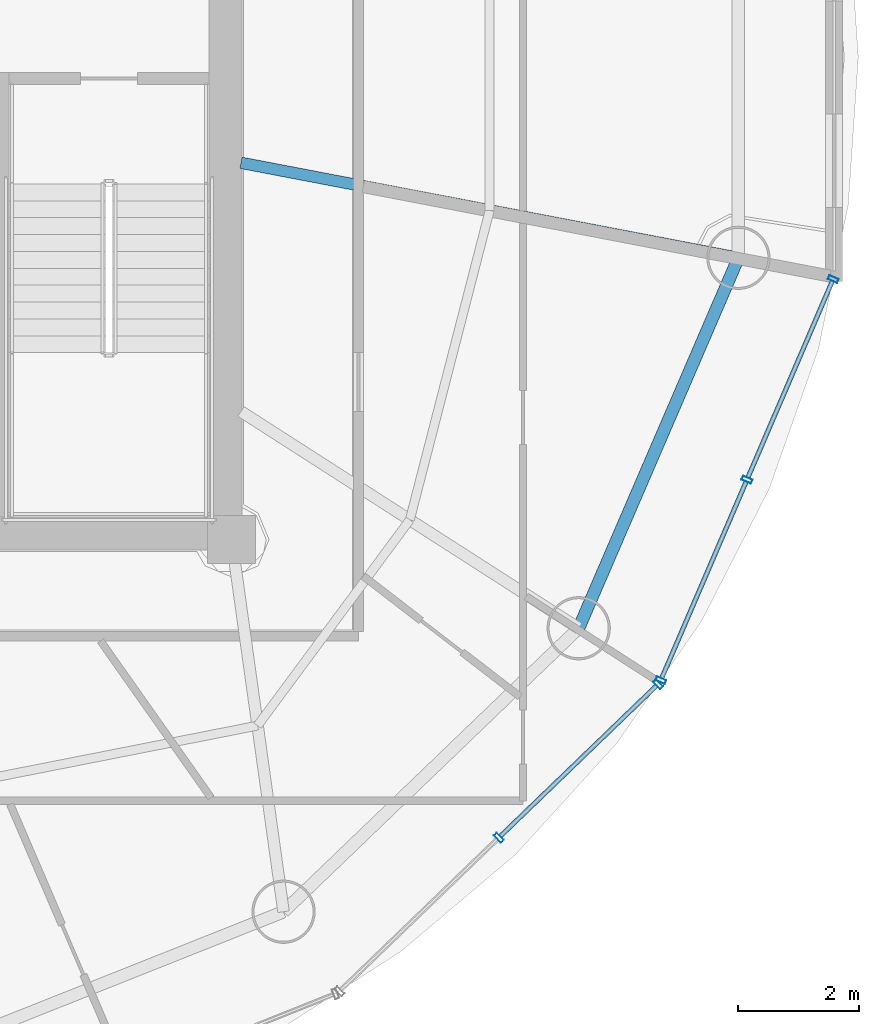
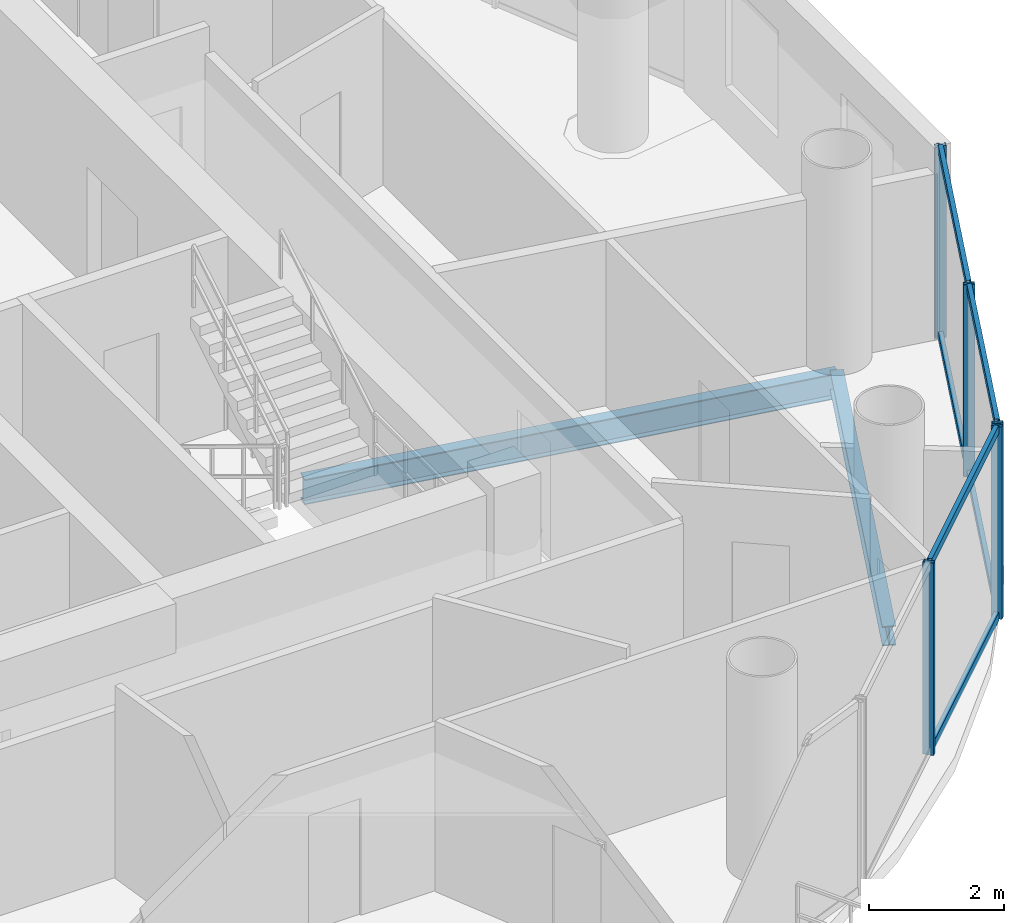
# One storey, part 10 of 23: 11 members, 2 beams, 2 elements without a shape of their own.
"""IFC4 building model written with IfcOpenShell, lengths in metres."""

import ifcopenshell
import ifcopenshell.guid

model = None  # the IFC model being written
_history = None  # IfcOwnerHistory: only IFC2X3 demands one
_inside = {}  # id of a spatial element -> (the spatial element, [elements in it])
_under = {}  # id of a project, library or spatial element -> (it, [spatial elements below it])
_declared = {}  # id of a project -> (the project, [libraries it declares])
_typed = {}  # id of a type object -> (the type object, [elements of that type])
_made_of = {}  # id of a material, layer set ... -> (it, [elements and type objects made of it])


def new_model(schema):
    """Start an empty IFC model of exactly this schema.

    Asked for "IFC4X3", IfcOpenShell would pick the latest addendum, in which some entities
    have other attributes; the version numbers below select the first issue.
    IFC2X3 requires an IfcOwnerHistory on every rooted entity: one is made here for all.
    """
    global model, _history
    if schema == "IFC4X3":
        model = ifcopenshell.file(schema_version=(4, 3, 0, 0))
    else:
        model = ifcopenshell.file(schema=schema)
    _inside.clear()
    _under.clear()
    _declared.clear()
    _typed.clear()
    _made_of.clear()
    _history = None
    if model.schema == "IFC2X3":
        org = make("IfcOrganization", Name="unknown")
        user = make(
            "IfcPersonAndOrganization",
            ThePerson=make("IfcPerson", FamilyName="unknown"),
            TheOrganization=org,
        )
        app = make(
            "IfcApplication",
            ApplicationDeveloper=org,
            Version="unknown",
            ApplicationFullName="unknown",
            ApplicationIdentifier="unknown",
        )
        _history = make(
            "IfcOwnerHistory",
            OwningUser=user,
            OwningApplication=app,
            ChangeAction="ADDED",
            CreationDate=0,
        )
    return model


def make(cls, **values):
    """One entity of the class cls with the attributes given. An attribute that is None is left unset."""
    return model.create_entity(
        cls, **{name: value for name, value in values.items() if value is not None}
    )


def rooted(cls, **values):
    """An entity with a GlobalId (a new one), such as an element, a storey or a relation."""
    return make(cls, GlobalId=ifcopenshell.guid.new(), OwnerHistory=_history, **values)


def si_unit(unit_type, name, prefix=None):
    """IfcSIUnit, for example si_unit("LENGTHUNIT", "METRE", prefix="MILLI")."""
    return make("IfcSIUnit", UnitType=unit_type, Prefix=prefix, Name=name)


def assignment(units):
    """IfcUnitAssignment: the units of a project."""
    return None if units is None else make("IfcUnitAssignment", Units=units)


def point(xyz):
    """IfcCartesianPoint."""
    return None if xyz is None else make("IfcCartesianPoint", Coordinates=xyz)


def direction(xyz):
    """IfcDirection."""
    return None if xyz is None else make("IfcDirection", DirectionRatios=xyz)


def frame(location, z_axis=None, x_axis=None):
    """IfcAxis2Placement3D, a coordinate frame: its origin and axes. An axis left out is left unset."""
    return make(
        "IfcAxis2Placement3D",
        Location=point(location),
        Axis=direction(z_axis),
        RefDirection=direction(x_axis),
    )


def frame_2d(location, x_axis=None):
    """IfcAxis2Placement2D, a coordinate frame in the plane: its origin and x axis."""
    return make(
        "IfcAxis2Placement2D", Location=point(location), RefDirection=direction(x_axis)
    )


def origin():
    """The frame at (0, 0, 0) with its axes left unset."""
    return frame((0.0, 0.0, 0.0))


def origin_2d():
    """The frame at (0, 0) in the plane with its x axis left unset."""
    return frame_2d((0.0, 0.0))


def place(relative_to, where):
    """IfcLocalPlacement: puts the frame where relative to a parent placement (None: the world)."""
    return make(
        "IfcLocalPlacement", PlacementRelTo=relative_to, RelativePlacement=where
    )


def context(
    kind, dimensions, precision=None, world=None, true_north=None, identifier=None
):
    """IfcGeometricRepresentationContext, for example the 3D "Model" context."""
    return make(
        "IfcGeometricRepresentationContext",
        ContextIdentifier=identifier,
        ContextType=kind,
        CoordinateSpaceDimension=dimensions,
        Precision=precision,
        WorldCoordinateSystem=world,
        TrueNorth=true_north,
    )


def subcontext(parent, identifier, kind, view, scale=None):
    """IfcGeometricRepresentationSubContext, for example "Body" below "Model"."""
    return make(
        "IfcGeometricRepresentationSubContext",
        ContextIdentifier=identifier,
        ContextType=kind,
        ParentContext=parent,
        TargetScale=scale,
        TargetView=view,
    )


def project(units=None, contexts=None):
    """IfcProject with its units and contexts."""
    return rooted(
        "IfcProject",
        Name="project",
        RepresentationContexts=contexts,
        UnitsInContext=assignment(units),
    )


def spatial(cls, under=None, at=None, **own):
    """A site, building, storey or space (cls), placed at a placement, below another one or the project."""
    s = rooted(cls, ObjectPlacement=at, **own)
    if under is not None:
        _under.setdefault(under.id(), (under, []))[1].append(s)
    return s


def profile(cls, at=None, kind="AREA", **sizes):
    """A parametric profile (cls). Its sizes go by their IFC names, for example OverallWidth=200.0."""
    return make(cls, ProfileType=kind, Position=at, **sizes)


def hollow_rectangle(**sizes):
    """IfcRectangleHollowProfileDef."""
    return profile("IfcRectangleHollowProfileDef", **sizes)


def i_section(**sizes):
    """IfcIShapeProfileDef."""
    return profile("IfcIShapeProfileDef", **sizes)


def extrude(swept, where, along, depth):
    """IfcExtrudedAreaSolid: the profile swept, set in the frame where, extruded along a direction by depth."""
    return make(
        "IfcExtrudedAreaSolid",
        SweptArea=swept,
        Position=where,
        ExtrudedDirection=direction(along),
        Depth=depth,
    )


def shape(context_of_items, identifier, shape_type, items):
    """IfcShapeRepresentation: the items that make up one representation, for example the "Body"."""
    return make(
        "IfcShapeRepresentation",
        ContextOfItems=context_of_items,
        RepresentationIdentifier=identifier,
        RepresentationType=shape_type,
        Items=items,
    )


def source(mapping_origin, context_of_items, identifier, shape_type, items):
    """IfcRepresentationMap: a shape defined once, which mapped items show again and again."""
    return make(
        "IfcRepresentationMap",
        MappingOrigin=mapping_origin,
        MappedRepresentation=shape(context_of_items, identifier, shape_type, items),
    )


def transform(
    local_origin,
    x_axis=None,
    y_axis=None,
    z_axis=None,
    scale=None,
    scale2=None,
    scale3=None,
    uniform=True,
):
    """IfcCartesianTransformationOperator3D, or its non-uniform kind. x_axis, y_axis, z_axis: its Axis1, 2, 3."""
    if uniform:
        return make(
            "IfcCartesianTransformationOperator3D",
            Axis1=direction(x_axis),
            Axis2=direction(y_axis),
            LocalOrigin=point(local_origin),
            Scale=scale,
            Axis3=direction(z_axis),
        )
    return make(
        "IfcCartesianTransformationOperator3DnonUniform",
        Axis1=direction(x_axis),
        Axis2=direction(y_axis),
        LocalOrigin=point(local_origin),
        Scale=scale,
        Axis3=direction(z_axis),
        Scale2=scale2,
        Scale3=scale3,
    )


def mapped(mapping_source, mapping_target):
    """IfcMappedItem: shows the shape of a source again, moved by a transform."""
    return make(
        "IfcMappedItem", MappingSource=mapping_source, MappingTarget=mapping_target
    )


def material(Name=None, Category=None):
    """IfcMaterial."""
    return make("IfcMaterial", Name=Name, Category=Category)


def material_profile(
    of_material, cross_section, Name=None, Category=None, Priority=None
):
    """IfcMaterialProfile: a cross section and its material."""
    return make(
        "IfcMaterialProfile",
        Name=Name,
        Material=of_material,
        Profile=cross_section,
        Priority=Priority,
        Category=Category,
    )


def profile_set(profiles, Name=None, composite=None):
    """IfcMaterialProfileSet."""
    return make(
        "IfcMaterialProfileSet",
        Name=Name,
        MaterialProfiles=profiles,
        CompositeProfile=composite,
    )


def made_of(thing, what):
    """Note that an element or type object is made of a material, layer set ...; save() writes the relation."""
    if what is not None:
        _made_of.setdefault(what.id(), (what, []))[1].append(thing)
    return thing


def type_object(cls, material=None, **own):
    """A type object (cls), such as IfcWallType, which elements share."""
    return made_of(rooted(cls, **own), material)


def element(
    cls,
    number,
    at=None,
    inside=None,
    cuts=None,
    type_object=None,
    material=None,
    context=None,
    identifier="Body",
    shape_type=None,
    held_by="IfcProductDefinitionShape",
    body=None,
    shapes=None,
    **own,
):
    """One element of the class cls, such as IfcWall. Its Tag is "e" and its number.

    at: its placement. inside: the storey or other place that contains it. cuts: it is an
    opening in that element (IfcRelVoidsElement). A single representation is given by context,
    identifier, shape_type and body (its items); several are given by shapes. held_by: the class
    of the entity that holds the representations. save() writes the other relations.
    """
    e = rooted(cls, Tag="e%d" % number, ObjectPlacement=at, **own)
    if body is not None:
        shapes = [shape(context, identifier, shape_type, body)]
    if shapes is not None:
        e.Representation = make(held_by, Representations=shapes)
    if inside is not None:
        _inside.setdefault(inside.id(), (inside, []))[1].append(e)
    if cuts is not None:
        rooted(
            "IfcRelVoidsElement", RelatingBuildingElement=cuts, RelatedOpeningElement=e
        )
    if type_object is not None:
        _typed.setdefault(type_object.id(), (type_object, []))[1].append(e)
    return made_of(e, material)


def aggregate(whole, parts):
    """IfcRelAggregates: a whole, such as a stair, and the parts it consists of."""
    return rooted("IfcRelAggregates", RelatingObject=whole, RelatedObjects=parts)


def save(model, path):
    """Write the relations noted so far, then the file.

    IfcRelAggregates (storeys below a building ...), IfcRelContainedInSpatialStructure (elements
    in a storey), IfcRelDefinesByType, IfcRelAssociatesMaterial and IfcRelDeclares: one each for
    every whole, place, type object, material and project.
    """
    for whole, parts in _under.values():
        aggregate(whole, parts)
    for where, things in _inside.values():
        rooted(
            "IfcRelContainedInSpatialStructure",
            RelatedElements=things,
            RelatingStructure=where,
        )
    for kind, things in _typed.values():
        rooted("IfcRelDefinesByType", RelatedObjects=things, RelatingType=kind)
    for what, things in _made_of.values():
        rooted("IfcRelAssociatesMaterial", RelatedObjects=things, RelatingMaterial=what)
    for by, libraries in _declared.values():
        rooted("IfcRelDeclares", RelatingContext=by, RelatedDefinitions=libraries)
    model.write(path)


model = new_model("IFC4")

# Units and contexts
model_context = context("Model", 3, precision=1e-05, world=origin(), true_north=direction((-0.2419218956, 0.970295726276)))
body_context = subcontext(model_context, "Body", "Model", "MODEL_VIEW")
ifc_project = project(units=[si_unit("LENGTHUNIT", "METRE"), si_unit("AREAUNIT", "SQUARE_METRE"), si_unit("VOLUMEUNIT", "CUBIC_METRE"), si_unit("PLANEANGLEUNIT", "RADIAN"), si_unit("MASSUNIT", "GRAM", prefix="KILO")], contexts=[model_context])

# Site, building, storey
site_placement = place(None, origin())
site = spatial("IfcSite", under=ifc_project, at=site_placement, CompositionType="ELEMENT")
building_placement = place(site_placement, origin())
building = spatial("IfcBuilding", under=site, at=building_placement, Name="Cobrevalo Terracotta Tower", CompositionType="ELEMENT")
storey_placement = place(building_placement, frame((0.0, 0.0, 259.449951171875)))
storey = spatial("IfcBuildingStorey", under=building, at=storey_placement, Name="L68", CompositionType="ELEMENT", Elevation=259.449951171875)

# Beams
ifc_material_1 = material(Name="Steel S355", Category="steel")
ifc_material_profile_1 = material_profile(ifc_material_1, i_section(OverallWidth=0.19091796875, OverallDepth=0.4599609375, WebThickness=0.010009765625, FlangeThickness=0.01611328125, at=origin_2d()), Name="W 460x82")
ifc_profile_set_1 = profile_set([ifc_material_profile_1], Name="Steel S355")
beam_type_1 = type_object("IfcBeamType", Name="Structural Beam W 460x82 (Steel S355)", PredefinedType="BEAM", material=ifc_profile_set_1)
beam_1_placement = place(storey_placement, frame((55.408935546875, 23.4736328125, -0.489990234375), z_axis=(-0.982229562106, 0.187683476432, 0.0), x_axis=(-0.187683476432, -0.982229562106, 0.0)))
element("IfcBeam", 1, at=beam_1_placement, inside=storey, type_object=beam_type_1, Name="L68 radial floor girder 16", PredefinedType="BEAM", context=body_context, shape_type="SweptSolid", body=[
    extrude(i_section(OverallWidth=0.19091796875, OverallDepth=0.4599609375, WebThickness=0.010009765625, FlangeThickness=0.01611328125, at=origin_2d()), origin(), (0.0, 0.0, 1.0), 8.4033203125),
])
ifc_material_profile_2 = material_profile(ifc_material_1, i_section(OverallWidth=0.205078125, OverallDepth=0.35400390625, WebThickness=0.009521484375, FlangeThickness=0.016845703125, at=origin_2d()), Name="W 360x79")
ifc_profile_set_2 = profile_set([ifc_material_profile_2], Name="Steel S355")
beam_type_2 = type_object("IfcBeamType", Name="Structural Spandrel W 360x79 (Steel S355)", PredefinedType="SPANDREL", material=ifc_profile_set_2)
beam_2_placement = place(storey_placement, frame((52.758544921875, 17.32763671875, -0.43701171875), z_axis=(0.395987390706, 0.918255948198, 0.0), x_axis=(-0.918255948198, 0.395987390706, 0.0)))
element("IfcBeam", 2, at=beam_2_placement, inside=storey, type_object=beam_type_2, Name="L68 perimeter ring spandrel 15", PredefinedType="SPANDREL", context=body_context, shape_type="SweptSolid", body=[
    extrude(i_section(OverallWidth=0.205078125, OverallDepth=0.35400390625, WebThickness=0.009521484375, FlangeThickness=0.016845703125, at=origin_2d()), origin(), (0.0, 0.0, 1.0), 6.693115234375),
])

# Curtain wall, members
ifc_material_2 = material(Name="Anodized aluminium", Category="aluminium")
curtain_wall_type = type_object("IfcCurtainWallType", Name="Upper-tower triple-glazed penthouse curtain wall CW-U3", PredefinedType="NOTDEFINED", material=ifc_material_2)
curtain_wall_1_placement = place(storey_placement, origin())
curtain_wall_1 = element("IfcCurtainWall", 3, at=curtain_wall_1_placement, inside=storey, type_object=curtain_wall_type, Name="L68 curtain wall CW-L68-S14", PredefinedType="NOTDEFINED")
ifc_material_profile_3 = material_profile(ifc_material_2, hollow_rectangle(XDim=0.070068359375, YDim=0.169921875, WallThickness=0.00439453125, at=origin_2d()), Name="CWM 70x170")
ifc_profile_set_3 = profile_set([ifc_material_profile_3], Name="Anodized aluminium")
member_type_1 = type_object("IfcMemberType", Name="Upper tower unitised mullion 70x170", PredefinedType="MULLION", material=ifc_profile_set_3)
shared_shape_1 = source(origin(), body_context, "Body", "SweptSolid", [
    extrude(hollow_rectangle(XDim=0.070068359375, YDim=0.169921875, WallThickness=0.00439453125, at=origin_2d()), origin(), (0.0, 0.0, 1.0), 3.489990234375),
])
member_1_placement = place(storey_placement, frame((51.43359375, 13.85205078125, 0.0), z_axis=(0.0, 0.0, 1.0), x_axis=(0.71999418085, 0.69398010025, 0.0)))
member_1 = element("IfcMember", 4, at=member_1_placement, type_object=member_type_1, Name="CW-L68-S14 vertical mullion 02", PredefinedType="MULLION", context=body_context, shape_type="MappedRepresentation", body=[
    mapped(shared_shape_1, transform((0.0, 0.0, 0.0), scale=1.0)),
])
member_2_placement = place(storey_placement, frame((54.07666015625, 16.399658203125, 0.0), z_axis=(0.0, 0.0, 1.0), x_axis=(0.71999418085, 0.69398010025, 0.0)))
member_2 = element("IfcMember", 5, at=member_2_placement, type_object=member_type_1, Name="CW-L68-S14 vertical mullion 03", PredefinedType="MULLION", context=body_context, shape_type="MappedRepresentation", body=[
    mapped(shared_shape_1, transform((0.0, 0.0, 0.0), scale=1.0)),
])

curtain_wall_2_placement = place(storey_placement, origin())
curtain_wall_2 = element("IfcCurtainWall", 6, at=curtain_wall_2_placement, inside=storey, type_object=curtain_wall_type, Name="L68 curtain wall CW-L68-S15", PredefinedType="NOTDEFINED")
member_3_placement = place(storey_placement, frame((54.121337890625, 16.46435546875, 0.0), z_axis=(0.0, 0.0, 1.0), x_axis=(0.39482403454, 0.91875675875, 0.0)))
member_3 = element("IfcMember", 7, at=member_3_placement, type_object=member_type_1, Name="CW-L68-S15 vertical mullion 01", PredefinedType="MULLION", context=body_context, shape_type="MappedRepresentation", body=[
    mapped(shared_shape_1, transform((0.0, 0.0, 0.0), scale=1.0)),
])
member_4_placement = place(storey_placement, frame((55.5517578125, 19.79248046875, 0.0), z_axis=(0.0, 0.0, 1.0), x_axis=(0.39482403454, 0.91875675875, 0.0)))
member_4 = element("IfcMember", 8, at=member_4_placement, type_object=member_type_1, Name="CW-L68-S15 vertical mullion 02", PredefinedType="MULLION", context=body_context, shape_type="MappedRepresentation", body=[
    mapped(shared_shape_1, transform((0.0, 0.0, 0.0), scale=1.0)),
])
member_5_placement = place(storey_placement, frame((56.98193359375, 23.120849609375, 0.0), z_axis=(0.0, 0.0, 1.0), x_axis=(0.39482403454, 0.91875675875, 0.0)))
member_5 = element("IfcMember", 9, at=member_5_placement, type_object=member_type_1, Name="CW-L68-S15 vertical mullion 03", PredefinedType="MULLION", context=body_context, shape_type="MappedRepresentation", body=[
    mapped(shared_shape_1, transform((0.0, 0.0, 0.0), scale=1.0)),
])

# Member
ifc_material_profile_4 = material_profile(ifc_material_2, hollow_rectangle(XDim=0.074951171875, YDim=0.14990234375, WallThickness=0.00439453125, at=origin_2d()), Name="CWT 75x150")
ifc_profile_set_4 = profile_set([ifc_material_profile_4], Name="Anodized aluminium")
member_type_2 = type_object("IfcMemberType", Name="Tower unitised aluminium transom 75x150", PredefinedType="USERDEFINED", material=ifc_profile_set_4)
shared_shape_2 = source(origin(), body_context, "Body", "SweptSolid", [
    extrude(hollow_rectangle(XDim=0.074951171875, YDim=0.14990234375, WallThickness=0.00439453125, at=origin_2d()), origin(), (0.0, 0.0, 1.0), 3.59130859375),
])
member_6_placement = place(storey_placement, frame((51.462158203125, 13.879638671875, 0.050048828125), z_axis=(0.719971660756, 0.694003463758, 0.0), x_axis=(-0.694003463758, 0.719971660756, 0.0)))
member_6 = element("IfcMember", 10, at=member_6_placement, type_object=member_type_2, Name="CW-L68-S14 transom B02-T1", ObjectType="TRANSOM", PredefinedType="USERDEFINED", context=body_context, shape_type="MappedRepresentation", body=[
    mapped(shared_shape_2, transform((0.0, 0.0, 0.0), scale=1.0)),
])

member_7_placement = place(storey_placement, frame((51.462158203125, 13.879638671875, 3.43994140625), z_axis=(0.719971660756, 0.694003463758, 0.0), x_axis=(-0.694003463758, 0.719971660756, 0.0)))
member_7 = element("IfcMember", 11, at=member_7_placement, type_object=member_type_2, Name="CW-L68-S14 transom B02-T2", ObjectType="TRANSOM", PredefinedType="USERDEFINED", context=body_context, shape_type="MappedRepresentation", body=[
    mapped(shared_shape_2, transform((0.0, 0.0, 0.0), scale=1.0)),
])

aggregate(curtain_wall_1, [member_1, member_2, member_6, member_7])

shared_shape_3 = source(origin(), body_context, "Body", "SweptSolid", [
    extrude(hollow_rectangle(XDim=0.074951171875, YDim=0.14990234375, WallThickness=0.00439453125, at=origin_2d()), origin(), (0.0, 0.0, 1.0), 3.542724609375),
])
member_8_placement = place(storey_placement, frame((54.13720703125, 16.5009765625, 0.050048828125), z_axis=(0.394809056766, 0.918763195114, 0.0), x_axis=(-0.918763195114, 0.394809056766, 0.0)))
member_8 = element("IfcMember", 12, at=member_8_placement, type_object=member_type_2, Name="CW-L68-S15 transom B01-T1", ObjectType="TRANSOM", PredefinedType="USERDEFINED", context=body_context, shape_type="MappedRepresentation", body=[
    mapped(shared_shape_3, transform((0.0, 0.0, 0.0), scale=1.0)),
])

member_9_placement = place(storey_placement, frame((54.13720703125, 16.5009765625, 3.43994140625), z_axis=(0.394809056766, 0.918763195114, 0.0), x_axis=(-0.918763195114, 0.394809056766, 0.0)))
member_9 = element("IfcMember", 13, at=member_9_placement, type_object=member_type_2, Name="CW-L68-S15 transom B01-T2", ObjectType="TRANSOM", PredefinedType="USERDEFINED", context=body_context, shape_type="MappedRepresentation", body=[
    mapped(shared_shape_3, transform((0.0, 0.0, 0.0), scale=1.0)),
])

member_10_placement = place(storey_placement, frame((55.5673828125, 19.829345703125, 0.050048828125), z_axis=(0.394867226589, 0.918738196314, 0.0), x_axis=(-0.918738196314, 0.394867226589, 0.0)))
member_10 = element("IfcMember", 14, at=member_10_placement, type_object=member_type_2, Name="CW-L68-S15 transom B02-T1", ObjectType="TRANSOM", PredefinedType="USERDEFINED", context=body_context, shape_type="MappedRepresentation", body=[
    mapped(shared_shape_3, transform((0.0, 0.0, 0.0), scale=1.0)),
])

member_11_placement = place(storey_placement, frame((55.5673828125, 19.829345703125, 3.43994140625), z_axis=(0.394867226589, 0.918738196314, 0.0), x_axis=(-0.918738196314, 0.394867226589, 0.0)))
member_11 = element("IfcMember", 15, at=member_11_placement, type_object=member_type_2, Name="CW-L68-S15 transom B02-T2", ObjectType="TRANSOM", PredefinedType="USERDEFINED", context=body_context, shape_type="MappedRepresentation", body=[
    mapped(shared_shape_3, transform((0.0, 0.0, 0.0), scale=1.0)),
])

aggregate(curtain_wall_2, [member_3, member_4, member_5, member_8, member_9, member_10, member_11])

save(model, "model.ifc")
